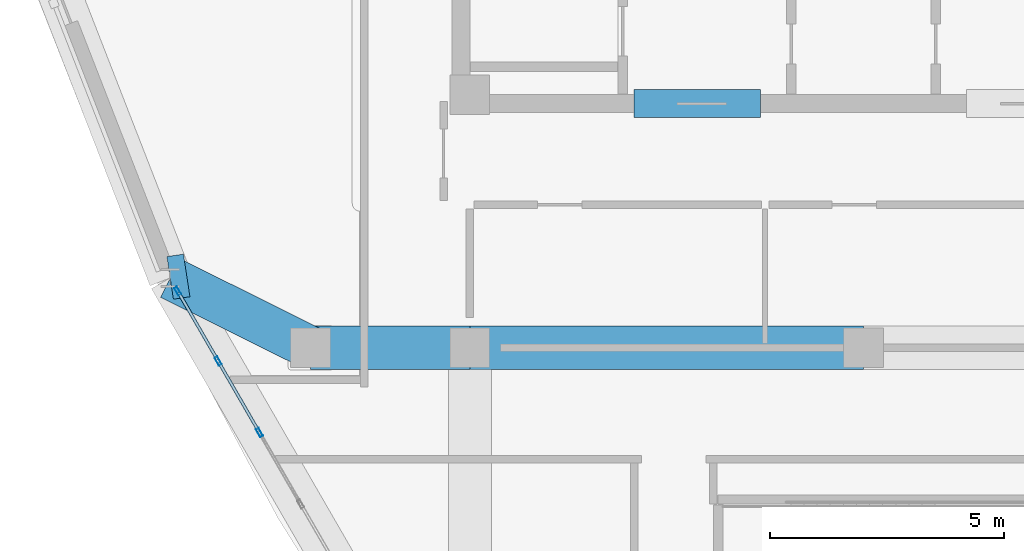
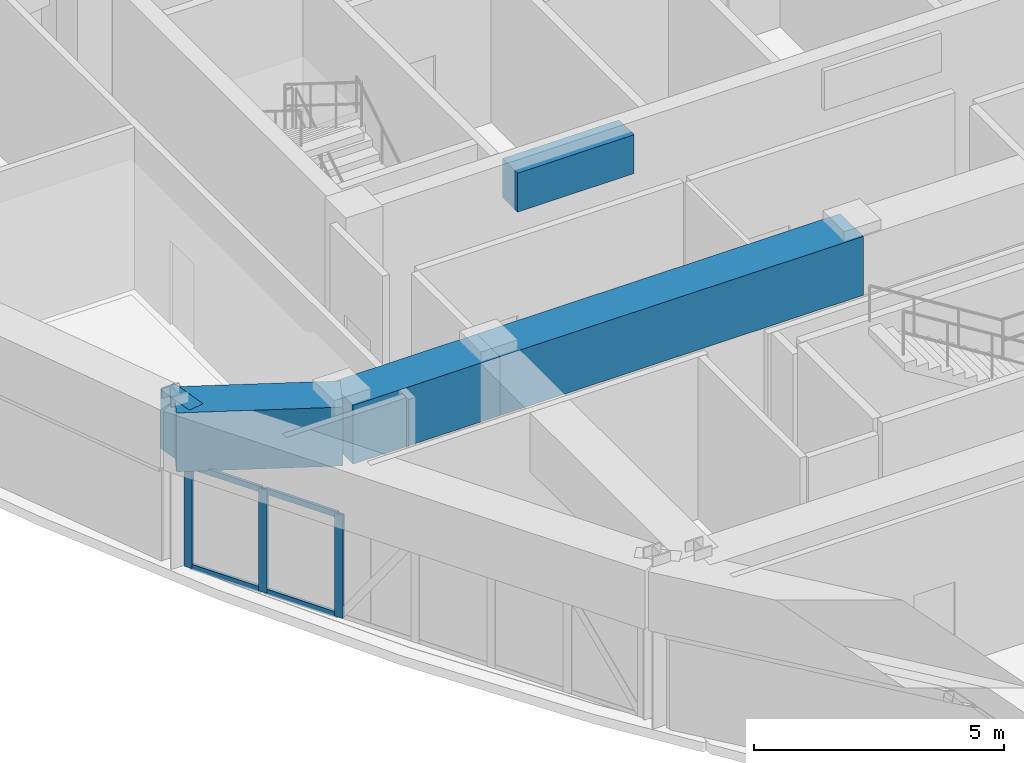
# One storey, part 5 of 17: 7 members, 5 beams, 1 element without a shape of its own.
"""IFC4 building model written with IfcOpenShell, lengths in metres."""

import ifcopenshell
import ifcopenshell.guid

model = None  # the IFC model being written
_history = None  # IfcOwnerHistory: only IFC2X3 demands one
_inside = {}  # id of a spatial element -> (the spatial element, [elements in it])
_under = {}  # id of a project, library or spatial element -> (it, [spatial elements below it])
_declared = {}  # id of a project -> (the project, [libraries it declares])
_typed = {}  # id of a type object -> (the type object, [elements of that type])
_made_of = {}  # id of a material, layer set ... -> (it, [elements and type objects made of it])


def new_model(schema):
    """Start an empty IFC model of exactly this schema.

    Asked for "IFC4X3", IfcOpenShell would pick the latest addendum, in which some entities
    have other attributes; the version numbers below select the first issue.
    IFC2X3 requires an IfcOwnerHistory on every rooted entity: one is made here for all.
    """
    global model, _history
    if schema == "IFC4X3":
        model = ifcopenshell.file(schema_version=(4, 3, 0, 0))
    else:
        model = ifcopenshell.file(schema=schema)
    _inside.clear()
    _under.clear()
    _declared.clear()
    _typed.clear()
    _made_of.clear()
    _history = None
    if model.schema == "IFC2X3":
        org = make("IfcOrganization", Name="unknown")
        user = make(
            "IfcPersonAndOrganization",
            ThePerson=make("IfcPerson", FamilyName="unknown"),
            TheOrganization=org,
        )
        app = make(
            "IfcApplication",
            ApplicationDeveloper=org,
            Version="unknown",
            ApplicationFullName="unknown",
            ApplicationIdentifier="unknown",
        )
        _history = make(
            "IfcOwnerHistory",
            OwningUser=user,
            OwningApplication=app,
            ChangeAction="ADDED",
            CreationDate=0,
        )
    return model


def make(cls, **values):
    """One entity of the class cls with the attributes given. An attribute that is None is left unset."""
    return model.create_entity(
        cls, **{name: value for name, value in values.items() if value is not None}
    )


def rooted(cls, **values):
    """An entity with a GlobalId (a new one), such as an element, a storey or a relation."""
    return make(cls, GlobalId=ifcopenshell.guid.new(), OwnerHistory=_history, **values)


def si_unit(unit_type, name, prefix=None):
    """IfcSIUnit, for example si_unit("LENGTHUNIT", "METRE", prefix="MILLI")."""
    return make("IfcSIUnit", UnitType=unit_type, Prefix=prefix, Name=name)


def derived_unit(unit_type, elements):
    """IfcDerivedUnit: a product of units, each with its exponent."""
    return make(
        "IfcDerivedUnit",
        Elements=[
            make("IfcDerivedUnitElement", Unit=unit, Exponent=power)
            for unit, power in elements
        ],
        UnitType=unit_type,
    )


def assignment(units):
    """IfcUnitAssignment: the units of a project."""
    return None if units is None else make("IfcUnitAssignment", Units=units)


def point(xyz):
    """IfcCartesianPoint."""
    return None if xyz is None else make("IfcCartesianPoint", Coordinates=xyz)


def direction(xyz):
    """IfcDirection."""
    return None if xyz is None else make("IfcDirection", DirectionRatios=xyz)


def frame(location, z_axis=None, x_axis=None):
    """IfcAxis2Placement3D, a coordinate frame: its origin and axes. An axis left out is left unset."""
    return make(
        "IfcAxis2Placement3D",
        Location=point(location),
        Axis=direction(z_axis),
        RefDirection=direction(x_axis),
    )


def frame_2d(location, x_axis=None):
    """IfcAxis2Placement2D, a coordinate frame in the plane: its origin and x axis."""
    return make(
        "IfcAxis2Placement2D", Location=point(location), RefDirection=direction(x_axis)
    )


def origin():
    """The frame at (0, 0, 0) with its axes left unset."""
    return frame((0.0, 0.0, 0.0))


def origin_2d():
    """The frame at (0, 0) in the plane with its x axis left unset."""
    return frame_2d((0.0, 0.0))


def place(relative_to, where):
    """IfcLocalPlacement: puts the frame where relative to a parent placement (None: the world)."""
    return make(
        "IfcLocalPlacement", PlacementRelTo=relative_to, RelativePlacement=where
    )


def context(
    kind, dimensions, precision=None, world=None, true_north=None, identifier=None
):
    """IfcGeometricRepresentationContext, for example the 3D "Model" context."""
    return make(
        "IfcGeometricRepresentationContext",
        ContextIdentifier=identifier,
        ContextType=kind,
        CoordinateSpaceDimension=dimensions,
        Precision=precision,
        WorldCoordinateSystem=world,
        TrueNorth=true_north,
    )


def subcontext(parent, identifier, kind, view, scale=None):
    """IfcGeometricRepresentationSubContext, for example "Body" below "Model"."""
    return make(
        "IfcGeometricRepresentationSubContext",
        ContextIdentifier=identifier,
        ContextType=kind,
        ParentContext=parent,
        TargetScale=scale,
        TargetView=view,
    )


def project(units=None, contexts=None):
    """IfcProject with its units and contexts."""
    return rooted(
        "IfcProject",
        Name="project",
        RepresentationContexts=contexts,
        UnitsInContext=assignment(units),
    )


def spatial(cls, under=None, at=None, **own):
    """A site, building, storey or space (cls), placed at a placement, below another one or the project."""
    s = rooted(cls, ObjectPlacement=at, **own)
    if under is not None:
        _under.setdefault(under.id(), (under, []))[1].append(s)
    return s


def profile(cls, at=None, kind="AREA", **sizes):
    """A parametric profile (cls). Its sizes go by their IFC names, for example OverallWidth=200.0."""
    return make(cls, ProfileType=kind, Position=at, **sizes)


def rectangle(**sizes):
    """IfcRectangleProfileDef."""
    return profile("IfcRectangleProfileDef", **sizes)


def hollow_rectangle(**sizes):
    """IfcRectangleHollowProfileDef."""
    return profile("IfcRectangleHollowProfileDef", **sizes)


def extrude(swept, where, along, depth):
    """IfcExtrudedAreaSolid: the profile swept, set in the frame where, extruded along a direction by depth."""
    return make(
        "IfcExtrudedAreaSolid",
        SweptArea=swept,
        Position=where,
        ExtrudedDirection=direction(along),
        Depth=depth,
    )


def shape(context_of_items, identifier, shape_type, items):
    """IfcShapeRepresentation: the items that make up one representation, for example the "Body"."""
    return make(
        "IfcShapeRepresentation",
        ContextOfItems=context_of_items,
        RepresentationIdentifier=identifier,
        RepresentationType=shape_type,
        Items=items,
    )


def source(mapping_origin, context_of_items, identifier, shape_type, items):
    """IfcRepresentationMap: a shape defined once, which mapped items show again and again."""
    return make(
        "IfcRepresentationMap",
        MappingOrigin=mapping_origin,
        MappedRepresentation=shape(context_of_items, identifier, shape_type, items),
    )


def transform(
    local_origin,
    x_axis=None,
    y_axis=None,
    z_axis=None,
    scale=None,
    scale2=None,
    scale3=None,
    uniform=True,
):
    """IfcCartesianTransformationOperator3D, or its non-uniform kind. x_axis, y_axis, z_axis: its Axis1, 2, 3."""
    if uniform:
        return make(
            "IfcCartesianTransformationOperator3D",
            Axis1=direction(x_axis),
            Axis2=direction(y_axis),
            LocalOrigin=point(local_origin),
            Scale=scale,
            Axis3=direction(z_axis),
        )
    return make(
        "IfcCartesianTransformationOperator3DnonUniform",
        Axis1=direction(x_axis),
        Axis2=direction(y_axis),
        LocalOrigin=point(local_origin),
        Scale=scale,
        Axis3=direction(z_axis),
        Scale2=scale2,
        Scale3=scale3,
    )


def mapped(mapping_source, mapping_target):
    """IfcMappedItem: shows the shape of a source again, moved by a transform."""
    return make(
        "IfcMappedItem", MappingSource=mapping_source, MappingTarget=mapping_target
    )


def material(Name=None, Category=None):
    """IfcMaterial."""
    return make("IfcMaterial", Name=Name, Category=Category)


def layer(
    of_material, thickness, ventilated=None, Name=None, Category=None, Priority=None
):
    """IfcMaterialLayer: one layer of a wall or slab, of a material (None: an air gap)."""
    return make(
        "IfcMaterialLayer",
        Material=of_material,
        LayerThickness=thickness,
        IsVentilated=ventilated,
        Name=Name,
        Category=Category,
        Priority=Priority,
    )


def layer_set(layers, Name=None):
    """IfcMaterialLayerSet."""
    return make("IfcMaterialLayerSet", MaterialLayers=layers, LayerSetName=Name)


def material_profile(
    of_material, cross_section, Name=None, Category=None, Priority=None
):
    """IfcMaterialProfile: a cross section and its material."""
    return make(
        "IfcMaterialProfile",
        Name=Name,
        Material=of_material,
        Profile=cross_section,
        Priority=Priority,
        Category=Category,
    )


def profile_set(profiles, Name=None, composite=None):
    """IfcMaterialProfileSet."""
    return make(
        "IfcMaterialProfileSet",
        Name=Name,
        MaterialProfiles=profiles,
        CompositeProfile=composite,
    )


def made_of(thing, what):
    """Note that an element or type object is made of a material, layer set ...; save() writes the relation."""
    if what is not None:
        _made_of.setdefault(what.id(), (what, []))[1].append(thing)
    return thing


def type_object(cls, material=None, **own):
    """A type object (cls), such as IfcWallType, which elements share."""
    return made_of(rooted(cls, **own), material)


def element(
    cls,
    number,
    at=None,
    inside=None,
    cuts=None,
    type_object=None,
    material=None,
    context=None,
    identifier="Body",
    shape_type=None,
    held_by="IfcProductDefinitionShape",
    body=None,
    shapes=None,
    **own,
):
    """One element of the class cls, such as IfcWall. Its Tag is "e" and its number.

    at: its placement. inside: the storey or other place that contains it. cuts: it is an
    opening in that element (IfcRelVoidsElement). A single representation is given by context,
    identifier, shape_type and body (its items); several are given by shapes. held_by: the class
    of the entity that holds the representations. save() writes the other relations.
    """
    e = rooted(cls, Tag="e%d" % number, ObjectPlacement=at, **own)
    if body is not None:
        shapes = [shape(context, identifier, shape_type, body)]
    if shapes is not None:
        e.Representation = make(held_by, Representations=shapes)
    if inside is not None:
        _inside.setdefault(inside.id(), (inside, []))[1].append(e)
    if cuts is not None:
        rooted(
            "IfcRelVoidsElement", RelatingBuildingElement=cuts, RelatedOpeningElement=e
        )
    if type_object is not None:
        _typed.setdefault(type_object.id(), (type_object, []))[1].append(e)
    return made_of(e, material)


def aggregate(whole, parts):
    """IfcRelAggregates: a whole, such as a stair, and the parts it consists of."""
    return rooted("IfcRelAggregates", RelatingObject=whole, RelatedObjects=parts)


def save(model, path):
    """Write the relations noted so far, then the file.

    IfcRelAggregates (storeys below a building ...), IfcRelContainedInSpatialStructure (elements
    in a storey), IfcRelDefinesByType, IfcRelAssociatesMaterial and IfcRelDeclares: one each for
    every whole, place, type object, material and project.
    """
    for whole, parts in _under.values():
        aggregate(whole, parts)
    for where, things in _inside.values():
        rooted(
            "IfcRelContainedInSpatialStructure",
            RelatedElements=things,
            RelatingStructure=where,
        )
    for kind, things in _typed.values():
        rooted("IfcRelDefinesByType", RelatedObjects=things, RelatingType=kind)
    for what, things in _made_of.values():
        rooted("IfcRelAssociatesMaterial", RelatedObjects=things, RelatingMaterial=what)
    for by, libraries in _declared.values():
        rooted("IfcRelDeclares", RelatingContext=by, RelatedDefinitions=libraries)
    model.write(path)


model = new_model("IFC4")

# Units and contexts
model_context = context("Model", 3, precision=1e-05, world=origin(), true_north=direction((0.0, 1.0)))
body_context = subcontext(model_context, "Body", "Model", "MODEL_VIEW")
ifc_project = project(units=[si_unit("LENGTHUNIT", "METRE"), si_unit("AREAUNIT", "SQUARE_METRE"), si_unit("VOLUMEUNIT", "CUBIC_METRE"), si_unit("PLANEANGLEUNIT", "RADIAN"), si_unit("MASSUNIT", "GRAM", prefix="KILO"), derived_unit("THERMALTRANSMITTANCEUNIT", [(si_unit("POWERUNIT", "WATT"), 1), (si_unit("LENGTHUNIT", "METRE"), -2), (si_unit("THERMODYNAMICTEMPERATUREUNIT", "KELVIN"), -1)])], contexts=[model_context])

# Site, building, storey
site_placement = place(None, origin())
site = spatial("IfcSite", under=ifc_project, at=site_placement, CompositionType="ELEMENT")
building_placement = place(site_placement, origin())
building = spatial("IfcBuilding", under=site, at=building_placement, Name="Korsvarv Bourse and Concert Hall", CompositionType="ELEMENT")
storey_placement = place(building_placement, frame((0.0, 0.0, 279.60009765625)))
storey = spatial("IfcBuildingStorey", under=building, at=storey_placement, Name="L73", CompositionType="ELEMENT", Elevation=279.60009765625)

# Beams
ifc_material_1 = material(Name="Concrete C55/67", Category="concrete")
ifc_material_profile_1 = material_profile(ifc_material_1, rectangle(XDim=0.60009765625, YDim=0.949951171875, at=origin_2d()), Name="RC-BM 600x950")
ifc_profile_set_1 = profile_set([ifc_material_profile_1], Name="Concrete C55/67")
beam_type_1 = type_object("IfcBeamType", Name="BM-CPL", PredefinedType="LINTEL", material=ifc_profile_set_1)
shared_shape_1 = source(origin(), body_context, "Body", "SweptSolid", [
    extrude(rectangle(XDim=0.60009765625, YDim=0.949951171875, at=origin_2d()), origin(), (0.0, 0.0, 1.0), 2.699951171875),
])
beam_1_placement = place(storey_placement, frame((31.10009765625, 37.610107421875, 3.48486328125), z_axis=(1.0, 0.0, 0.0), x_axis=(0.0, 1.0, 0.0)))
element("IfcBeam", 1, at=beam_1_placement, inside=storey, type_object=beam_type_1, Name="L73 Core Coupling Beam West", PredefinedType="LINTEL", context=body_context, shape_type="MappedRepresentation", body=[
    mapped(shared_shape_1, transform((0.0, 0.0, 0.0), scale=1.0)),
])
ifc_material_2 = material(Name="Concrete C50/60", Category="concrete")
ifc_material_profile_2 = material_profile(ifc_material_2, rectangle(XDim=0.919921875, YDim=1.43994140625, at=origin_2d()), Name="RC-BM 920x1440")
ifc_profile_set_2 = profile_set([ifc_material_profile_2], Name="Concrete C50/60")
beam_type_2 = type_object("IfcBeamType", Name="BM-TR-144", PredefinedType="BEAM", material=ifc_profile_set_2)
shared_shape_2 = source(origin(), body_context, "Body", "SweptSolid", [
    extrude(rectangle(XDim=0.919921875, YDim=1.43994140625, at=origin_2d()), origin(), (0.0, 0.0, 1.0), 3.400146484375),
])
beam_2_placement = place(storey_placement, frame((24.199951171875, 32.39990234375, 3.239990234375), z_axis=(1.0, 0.0, 0.0), x_axis=(0.0, 1.0, 0.0)))
element("IfcBeam", 2, at=beam_2_placement, inside=storey, type_object=beam_type_2, Name="L73 beam B-TR4", PredefinedType="BEAM", context=body_context, shape_type="MappedRepresentation", body=[
    mapped(shared_shape_2, transform((0.0, 0.0, 0.0), scale=1.0)),
])
shared_shape_3 = source(origin(), body_context, "Body", "SweptSolid", [
    extrude(rectangle(XDim=0.919921875, YDim=1.43994140625, at=origin_2d()), origin(), (0.0, 0.0, 1.0), 8.39990234375),
])
beam_3_placement = place(storey_placement, frame((27.60009765625, 32.39990234375, 3.239990234375), z_axis=(1.0, 0.0, 0.0), x_axis=(0.0, 1.0, 0.0)))
element("IfcBeam", 3, at=beam_3_placement, inside=storey, type_object=beam_type_2, Name="L73 beam B-TR4", PredefinedType="BEAM", context=body_context, shape_type="MappedRepresentation", body=[
    mapped(shared_shape_3, transform((0.0, 0.0, 0.0), scale=1.0)),
])
shared_shape_4 = source(origin(), body_context, "Body", "SweptSolid", [
    extrude(rectangle(XDim=0.919921875, YDim=1.43994140625, at=origin_2d()), origin(), (0.0, 0.0, 1.0), 0.3564453125),
])
beam_4_placement = place(storey_placement, frame((21.205322265625, 33.889404296875, 3.239990234375), z_axis=(0.988576712642, 0.150718556328, 0.0), x_axis=(-0.150718556328, 0.988576712642, 0.0)))
element("IfcBeam", 4, at=beam_4_placement, inside=storey, type_object=beam_type_2, Name="L73 beam B-TR4", PredefinedType="BEAM", context=body_context, shape_type="MappedRepresentation", body=[
    mapped(shared_shape_4, transform((0.0, 0.0, 0.0), scale=1.0)),
])
shared_shape_5 = source(origin(), body_context, "Body", "SweptSolid", [
    extrude(rectangle(XDim=0.919921875, YDim=1.43994140625, at=origin_2d()), origin(), (0.0, 0.0, 1.0), 3.3447265625),
])
beam_5_placement = place(storey_placement, frame((21.205322265625, 33.889404296875, 3.239990234375), z_axis=(0.895359577969, -0.445343941398, 0.0), x_axis=(0.445343941398, 0.895359577969, 0.0)))
element("IfcBeam", 5, at=beam_5_placement, inside=storey, type_object=beam_type_2, Name="L73 beam B-TR4", PredefinedType="BEAM", context=body_context, shape_type="MappedRepresentation", body=[
    mapped(shared_shape_5, transform((0.0, 0.0, 0.0), scale=1.0)),
])

# Curtain wall, members
ifc_material_3 = material(Name="Anodised aluminium and triple low-E glazing", Category="glass")
ifc_layer = layer(ifc_material_3, 0.18994140625)
ifc_layer_set = layer_set([ifc_layer], Name="Anodised aluminium and triple low-E glazing")
curtain_wall_type = type_object("IfcCurtainWallType", Name="CW-SYS-4", PredefinedType="NOTDEFINED", material=ifc_layer_set)
curtain_wall_placement = place(storey_placement, origin())
curtain_wall = element("IfcCurtainWall", 6, at=curtain_wall_placement, inside=storey, type_object=curtain_wall_type, Name="L73 CW4 curtain wall CW-L73-F07", PredefinedType="NOTDEFINED")
ifc_material_4 = material(Name="Extruded aluminium EN AW-6063 T66", Category="aluminium")
ifc_material_profile_3 = material_profile(ifc_material_4, hollow_rectangle(XDim=0.070068359375, YDim=0.18994140625, WallThickness=0.0048828125, at=origin_2d()), Name="ALU-M 70x190")
ifc_profile_set_3 = profile_set([ifc_material_profile_3], Name="Extruded aluminium EN AW-6063 T66")
member_type_1 = type_object("IfcMemberType", Name="CWM-190", PredefinedType="MULLION", material=ifc_profile_set_3)
shared_shape_6 = source(origin(), body_context, "Body", "SweptSolid", [
    extrude(hollow_rectangle(XDim=0.070068359375, YDim=0.18994140625, WallThickness=0.0048828125, at=origin_2d()), origin(), (0.0, 0.0, 1.0), 2.52001953125),
])
member_1_placement = place(storey_placement, frame((21.366943359375, 33.609619140625, 0.0), z_axis=(0.0, 0.0, 1.0), x_axis=(0.866026512974, 0.499998078822, 0.0)))
member_1 = element("IfcMember", 7, at=member_1_placement, type_object=member_type_1, Name="CW4 mullion 1", PredefinedType="MULLION", context=body_context, shape_type="MappedRepresentation", body=[
    mapped(shared_shape_6, transform((0.0, 0.0, 0.0), scale=1.0)),
])
member_2_placement = place(storey_placement, frame((22.229736328125, 32.115234375, 0.0), z_axis=(0.0, 0.0, 1.0), x_axis=(0.866026512974, 0.499998078822, 0.0)))
member_2 = element("IfcMember", 8, at=member_2_placement, type_object=member_type_1, Name="CW4 mullion 2", PredefinedType="MULLION", context=body_context, shape_type="MappedRepresentation", body=[
    mapped(shared_shape_6, transform((0.0, 0.0, 0.0), scale=1.0)),
])
member_3_placement = place(storey_placement, frame((23.10986328125, 30.590576171875, 0.0), z_axis=(0.0, 0.0, 1.0), x_axis=(0.866026512974, 0.499998078822, 0.0)))
member_3 = element("IfcMember", 9, at=member_3_placement, type_object=member_type_1, Name="CW4 mullion 3", PredefinedType="MULLION", context=body_context, shape_type="MappedRepresentation", body=[
    mapped(shared_shape_6, transform((0.0, 0.0, 0.0), scale=1.0)),
])
ifc_material_profile_4 = material_profile(ifc_material_4, hollow_rectangle(XDim=0.06494140625, YDim=0.139892578125, WallThickness=0.00390625, at=origin_2d()), Name="ALU-T 65x140")
ifc_profile_set_4 = profile_set([ifc_material_profile_4], Name="Extruded aluminium EN AW-6063 T66")
member_type_2 = type_object("IfcMemberType", Name="CWT-140", PredefinedType="USERDEFINED", material=ifc_profile_set_4)
shared_shape_7 = source(origin(), body_context, "Body", "SweptSolid", [
    extrude(hollow_rectangle(XDim=0.06494140625, YDim=0.139892578125, WallThickness=0.00390625, at=origin_2d()), origin(), (0.0, 0.0, 1.0), 1.655517578125),
])
member_4_placement = place(storey_placement, frame((21.384521484375, 33.579345703125, 0.032470703125), z_axis=(0.499913935915, -0.866075087206, 0.0), x_axis=(0.866075087206, 0.499913935915, 0.0)))
member_4 = element("IfcMember", 10, at=member_4_placement, type_object=member_type_2, Name="CW4 transom 1.1", ObjectType="TRANSOM", PredefinedType="USERDEFINED", context=body_context, shape_type="MappedRepresentation", body=[
    mapped(shared_shape_7, transform((0.0, 0.0, 0.0), scale=1.0)),
])
member_5_placement = place(storey_placement, frame((21.384521484375, 33.579345703125, 2.4873046875), z_axis=(0.499913935915, -0.866075087206, 0.0), x_axis=(0.866075087206, 0.499913935915, 0.0)))
member_5 = element("IfcMember", 11, at=member_5_placement, type_object=member_type_2, Name="CW4 transom 1.2", ObjectType="TRANSOM", PredefinedType="USERDEFINED", context=body_context, shape_type="MappedRepresentation", body=[
    mapped(shared_shape_7, transform((0.0, 0.0, 0.0), scale=1.0)),
])
shared_shape_8 = source(origin(), body_context, "Body", "SweptSolid", [
    extrude(hollow_rectangle(XDim=0.06494140625, YDim=0.139892578125, WallThickness=0.00390625, at=origin_2d()), origin(), (0.0, 0.0, 1.0), 1.6904296875),
])
member_6_placement = place(storey_placement, frame((22.2470703125, 32.0849609375, 0.032470703125), z_axis=(0.500022507987, -0.866012408402, 0.0), x_axis=(0.866012408402, 0.500022507987, 0.0)))
member_6 = element("IfcMember", 12, at=member_6_placement, type_object=member_type_2, Name="CW4 transom 2.1", ObjectType="TRANSOM", PredefinedType="USERDEFINED", context=body_context, shape_type="MappedRepresentation", body=[
    mapped(shared_shape_8, transform((0.0, 0.0, 0.0), scale=1.0)),
])
member_7_placement = place(storey_placement, frame((22.2470703125, 32.0849609375, 2.4873046875), z_axis=(0.500022507987, -0.866012408402, 0.0), x_axis=(0.866012408402, 0.500022507987, 0.0)))
member_7 = element("IfcMember", 13, at=member_7_placement, type_object=member_type_2, Name="CW4 transom 2.2", ObjectType="TRANSOM", PredefinedType="USERDEFINED", context=body_context, shape_type="MappedRepresentation", body=[
    mapped(shared_shape_8, transform((0.0, 0.0, 0.0), scale=1.0)),
])
aggregate(curtain_wall, [member_1, member_2, member_3, member_4, member_5, member_6, member_7])

save(model, "model.ifc")
